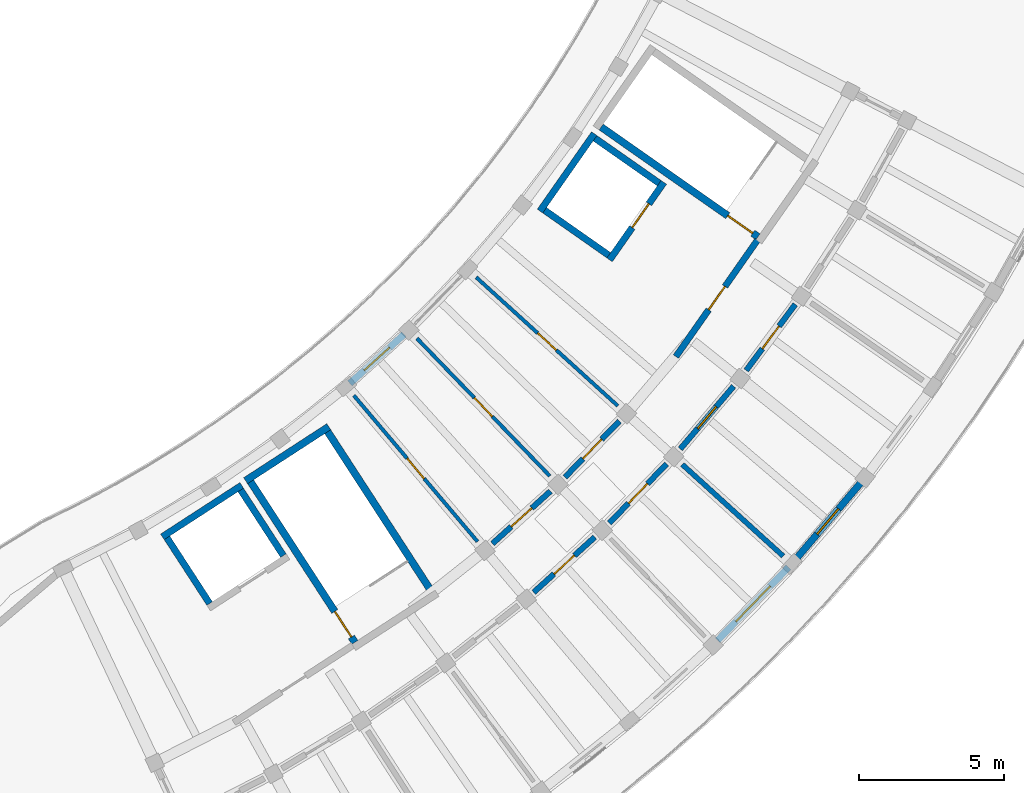
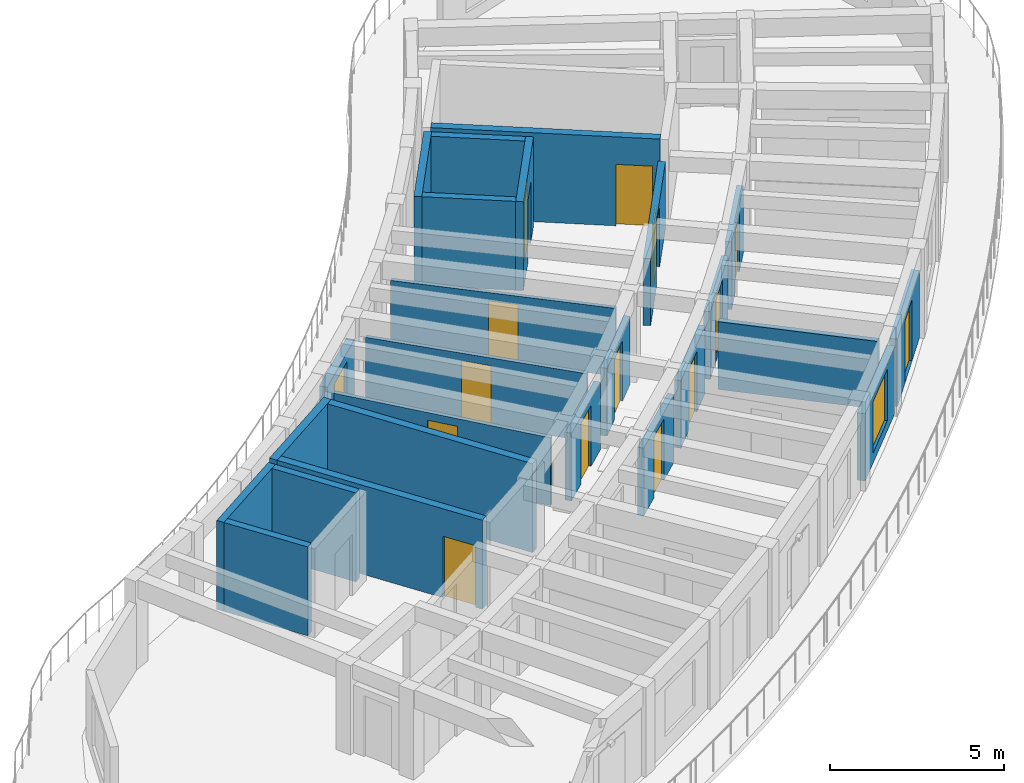
# One storey, part 32 of 56: 25 walls, 14 doors, 2 windows, 16 openings.
"""IFC4 building model written with IfcOpenShell, lengths in metres."""

from ifc_helpers import new_model, si_unit, direction, frame, frame_2d, origin, place, context, subcontext, project, spatial, rectangle, extrude, material, layer, layer_set, type_object, element, fill, save


model = new_model("IFC4")

# Units and contexts
model_context = context("Model", 3, precision=1e-05, world=origin(), true_north=direction((0.0, 1.0)))
body_context = subcontext(model_context, "Body", "Model", "MODEL_VIEW")
ifc_project = project(units=[si_unit("LENGTHUNIT", "METRE"), si_unit("AREAUNIT", "SQUARE_METRE"), si_unit("VOLUMEUNIT", "CUBIC_METRE"), si_unit("PLANEANGLEUNIT", "RADIAN"), si_unit("MASSUNIT", "GRAM", prefix="KILO")], contexts=[model_context])

# Site, building, storey
site_placement = place(None, origin())
site = spatial("IfcSite", under=ifc_project, at=site_placement, CompositionType="ELEMENT")
building_placement = place(site_placement, origin())
building = spatial("IfcBuilding", under=site, at=building_placement, Name="Tanwirah Colonnade Gardens", CompositionType="ELEMENT")
storey_placement = place(building_placement, frame((0.0, 0.0, 29.0)))
storey = spatial("IfcBuildingStorey", under=building, at=storey_placement, Name="L08", CompositionType="ELEMENT", Elevation=29.0)

# Wall, opening, window
ifc_material_1 = material(Name="Limestone architectural precast concrete C40/50", Category="masonry")
ifc_layer_1 = layer(ifc_material_1, 0.239990234375)
ifc_layer_set_1 = layer_set([ifc_layer_1], Name="Limestone architectural precast concrete C40/50")
wall_type_1 = type_object("IfcWallType", Name="EW-PC240", PredefinedType="SOLIDWALL", material=ifc_layer_set_1)
wall_1_placement = place(storey_placement, frame((149.842529296875, 30.68505859375, 0.0), z_axis=(0.0, 0.0, 1.0), x_axis=(0.741691907147, 0.670740721048, 0.0)))
wall_1 = element("IfcWall", 1, at=wall_1_placement, inside=storey, type_object=wall_type_1, Name="Block D L08 IN Precast Facade Wall 7", PredefinedType="SOLIDWALL", context=body_context, shape_type="SweptSolid", body=[
    extrude(rectangle(XDim=2.518798828125, YDim=0.239990234375, at=frame_2d((1.25927734375, 0.0))), origin(), (0.0, 0.0, 1.0), 2.35498046875),
])
opening_1_placement = place(wall_1_placement, frame((0.66943359375, 0.0, 0.550048828125)))
opening_1 = element("IfcOpeningElement", 2, at=opening_1_placement, cuts=wall_1, Name="Opening WIN-T16", PredefinedType="OPENING", context=body_context, shape_type="SweptSolid", body=[
    extrude(rectangle(XDim=1.179931640625, YDim=1.47998046875, at=frame_2d((0.58984375, 0.739990234375))), frame((0.0, 0.1298828125, 0.0), z_axis=(0.0, -1.0, 0.0), x_axis=(1.0, 0.0, 0.0)), (0.0, 0.0, 1.0), 0.260009765625),
])
ifc_material_2 = material(Name="Thermally broken bronze aluminium and solar low-E double glazing", Category="aluminium")
window_type_1 = type_object("IfcWindowType", Name="WIN-T16", PartitioningType="SINGLE_PANEL", PredefinedType="WINDOW", material=ifc_material_2)
window_1_placement = place(opening_1_placement, origin())
window_1 = element("IfcWindow", 3, at=window_1_placement, inside=storey, type_object=window_type_1, Name="Facade window D-L08-IN-07", OverallHeight=1.47998046875, OverallWidth=1.179931640625, PartitioningType="SINGLE_PANEL", PredefinedType="WINDOW", context=body_context, shape_type="SweptSolid", body=[
    extrude(rectangle(XDim=1.179931640625, YDim=1.47998046875, at=frame_2d((0.58984375, 0.739990234375))), frame((0.0, 0.030029296875, 0.0), z_axis=(0.0, -1.0, 0.0), x_axis=(1.0, 0.0, 0.0)), (0.0, 0.0, 1.0), 0.06005859375),
])
fill(opening_1, window_1)

wall_2_placement = place(storey_placement, frame((162.523681640625, 21.824951171875, 0.0), z_axis=(0.0, 0.0, 1.0), x_axis=(0.696232818878, 0.717816036263, 0.0)))
wall_2 = element("IfcWall", 4, at=wall_2_placement, inside=storey, type_object=wall_type_1, Name="Block D L08 OUT Precast Facade Wall 8", PredefinedType="SOLIDWALL", context=body_context, shape_type="SweptSolid", body=[
    extrude(rectangle(XDim=3.506591796875, YDim=0.239990234375, at=frame_2d((1.75341796875, 0.0))), origin(), (0.0, 0.0, 1.0), 2.35498046875),
])
opening_2_placement = place(wall_2_placement, frame((0.9033203125, 0.0, 0.35009765625)))
opening_2 = element("IfcOpeningElement", 5, at=opening_2_placement, cuts=wall_2, Name="Opening WIN-T12", PredefinedType="OPENING", context=body_context, shape_type="SweptSolid", body=[
    extrude(rectangle(XDim=1.699951171875, YDim=1.800048828125, at=frame_2d((0.85009765625, 0.89990234375))), frame((0.0, 0.1298828125, 0.0), z_axis=(0.0, -1.0, 0.0), x_axis=(1.0, 0.0, 0.0)), (0.0, 0.0, 1.0), 0.260009765625),
])
window_type_2 = type_object("IfcWindowType", Name="WIN-T12", PartitioningType="TRIPLE_PANEL_VERTICAL", PredefinedType="WINDOW", material=ifc_material_2)
window_2_placement = place(opening_2_placement, origin())
window_2 = element("IfcWindow", 6, at=window_2_placement, inside=storey, type_object=window_type_2, Name="Facade window D-L08-OUT-08", OverallHeight=1.800048828125, OverallWidth=1.699951171875, PartitioningType="SINGLE_PANEL", PredefinedType="WINDOW", context=body_context, shape_type="SweptSolid", body=[
    extrude(rectangle(XDim=1.699951171875, YDim=1.800048828125, at=frame_2d((0.85009765625, 0.89990234375))), frame((0.0, 0.030029296875, 0.0), z_axis=(0.0, -1.0, 0.0), x_axis=(1.0, 0.0, 0.0)), (0.0, 0.0, 1.0), 0.06005859375),
])
fill(opening_2, window_2)

# Wall, opening, door
wall_3_placement = place(storey_placement, frame((165.186767578125, 24.586181640625, 0.0), z_axis=(0.0, 0.0, 1.0), x_axis=(0.647787845689, 0.761820784028, 0.0)))
wall_3 = element("IfcWall", 7, at=wall_3_placement, inside=storey, type_object=wall_type_1, Name="Block D L08 OUT Precast Facade Wall 9", PredefinedType="SOLIDWALL", context=body_context, shape_type="SweptSolid", body=[
    extrude(rectangle(XDim=3.5068359375, YDim=0.239990234375, at=frame_2d((1.75341796875, 0.0))), origin(), (0.0, 0.0, 1.0), 2.35498046875),
])
opening_3_placement = place(wall_3_placement, frame((1.183349609375, 0.0, 0.0)))
opening_3 = element("IfcOpeningElement", 8, at=opening_3_placement, cuts=wall_3, Name="Opening L08-ED212", PredefinedType="OPENING", context=body_context, shape_type="SweptSolid", body=[
    extrude(rectangle(XDim=1.139892578125, YDim=2.159912109375, at=frame_2d((0.56982421875, 1.080078125))), frame((0.0, 0.1298828125, 0.0), z_axis=(0.0, -1.0, 0.0), x_axis=(1.0, 0.0, 0.0)), (0.0, 0.0, 1.0), 0.260009765625),
])
ifc_material_3 = material(Name="Bronze aluminium glazed balcony door", Category="aluminium")
door_type_1 = type_object("IfcDoorType", Name="ED-BAL114", OperationType="NOTDEFINED", PredefinedType="DOOR", material=ifc_material_3)
door_1_placement = place(opening_3_placement, origin())
door_1 = element("IfcDoor", 9, at=door_1_placement, inside=storey, type_object=door_type_1, Name="Balcony glazed door L08-ED212", OperationType="SINGLE_SWING_RIGHT", OverallHeight=2.159912109375, OverallWidth=1.139892578125, PredefinedType="DOOR", context=body_context, shape_type="SweptSolid", body=[
    extrude(rectangle(XDim=1.139892578125, YDim=2.159912109375, at=frame_2d((0.56982421875, 1.080078125))), frame((0.0, 0.02490234375, 0.0), z_axis=(0.0, -1.0, 0.0), x_axis=(1.0, 0.0, 0.0)), (0.0, 0.0, 1.0), 0.050048828125),
])
fill(opening_3, door_1)

ifc_material_4 = material(Name="Precast concrete C40/50", Category="concrete")
ifc_layer_2 = layer(ifc_material_4, 0.195068359375)
ifc_layer_set_2 = layer_set([ifc_layer_2], Name="Precast concrete C40/50")
wall_type_2 = type_object("IfcWallType", Name="IW-CORR195", PredefinedType="PARTITIONING", material=ifc_layer_set_2)
wall_4_placement = place(storey_placement, frame((156.1826171875, 23.48193359375, 0.0), z_axis=(0.0, 0.0, 1.0), x_axis=(0.741631592147, 0.670807410163, 0.0)))
wall_4 = element("IfcWall", 10, at=wall_4_placement, inside=storey, type_object=wall_type_2, Name="Block D L08 OUT Corridor Wall 7", PredefinedType="PARTITIONING", context=body_context, shape_type="SweptSolid", body=[
    extrude(rectangle(XDim=2.8369140625, YDim=0.195068359375, at=frame_2d((1.41845703125, 0.0))), origin(), (0.0, 0.0, 1.0), 2.3701171875),
])
opening_4_placement = place(wall_4_placement, frame((0.943603515625, 0.0, 0.0)))
opening_4 = element("IfcOpeningElement", 11, at=opening_4_placement, cuts=wall_4, Name="Opening L08-AD1936", PredefinedType="OPENING", context=body_context, shape_type="SweptSolid", body=[
    extrude(rectangle(XDim=0.949951171875, YDim=2.1298828125, at=frame_2d((0.47509765625, 1.06494140625))), frame((0.0, 0.107421875, 0.0), z_axis=(0.0, -1.0, 0.0), x_axis=(1.0, 0.0, 0.0)), (0.0, 0.0, 1.0), 0.215087890625),
])
ifc_material_5 = material(Name="Solid oak fire-resisting apartment entrance door")
door_type_2 = type_object("IfcDoorType", Name="ID-FLT095", OperationType="NOTDEFINED", PredefinedType="DOOR", material=ifc_material_5)
door_2_placement = place(opening_4_placement, origin())
door_2 = element("IfcDoor", 12, at=door_2_placement, inside=storey, type_object=door_type_2, Name="Apartment corridor door L08-AD1936", OperationType="SINGLE_SWING_RIGHT", OverallHeight=2.1298828125, OverallWidth=0.949951171875, PredefinedType="DOOR", context=body_context, shape_type="SweptSolid", body=[
    extrude(rectangle(XDim=0.949951171875, YDim=2.1298828125, at=frame_2d((0.47509765625, 1.06494140625))), frame((0.0, 0.02490234375, 0.0), z_axis=(0.0, -1.0, 0.0), x_axis=(1.0, 0.0, 0.0)), (0.0, 0.0, 1.0), 0.050048828125),
])
fill(opening_4, door_2)

wall_5_placement = place(storey_placement, frame((154.76123046875, 25.1611328125, 0.0), z_axis=(0.0, 0.0, 1.0), x_axis=(0.74166462946, 0.670770882945, 0.0)))
wall_5 = element("IfcWall", 13, at=wall_5_placement, inside=storey, type_object=wall_type_2, Name="Block D L08 IN Corridor Wall 7", PredefinedType="PARTITIONING", context=body_context, shape_type="SweptSolid", body=[
    extrude(rectangle(XDim=2.693115234375, YDim=0.195068359375, at=frame_2d((1.3466796875, 0.0))), origin(), (0.0, 0.0, 1.0), 2.3701171875),
])
opening_5_placement = place(wall_5_placement, frame((0.87158203125, 0.0, 0.0)))
opening_5 = element("IfcOpeningElement", 14, at=opening_5_placement, cuts=wall_5, Name="Opening L08-AD1937", PredefinedType="OPENING", context=body_context, shape_type="SweptSolid", body=[
    extrude(rectangle(XDim=0.949951171875, YDim=2.1298828125, at=frame_2d((0.47509765625, 1.06494140625))), frame((0.0, 0.107421875, 0.0), z_axis=(0.0, -1.0, 0.0), x_axis=(1.0, 0.0, 0.0)), (0.0, 0.0, 1.0), 0.215087890625),
])
door_3_placement = place(opening_5_placement, origin())
door_3 = element("IfcDoor", 15, at=door_3_placement, inside=storey, type_object=door_type_2, Name="Apartment corridor door L08-AD1937", OperationType="SINGLE_SWING_LEFT", OverallHeight=2.1298828125, OverallWidth=0.949951171875, PredefinedType="DOOR", context=body_context, shape_type="SweptSolid", body=[
    extrude(rectangle(XDim=0.949951171875, YDim=2.1298828125, at=frame_2d((0.47509765625, 1.06494140625))), frame((0.0, 0.02490234375, 0.0), z_axis=(0.0, -1.0, 0.0), x_axis=(1.0, 0.0, 0.0)), (0.0, 0.0, 1.0), 0.050048828125),
])
fill(opening_5, door_3)

wall_6_placement = place(storey_placement, frame((158.7900390625, 25.870849609375, 0.0), z_axis=(0.0, 0.0, 1.0), x_axis=(0.696223786753, 0.717824796701, 0.0)))
wall_6 = element("IfcWall", 16, at=wall_6_placement, inside=storey, type_object=wall_type_2, Name="Block D L08 OUT Corridor Wall 8", PredefinedType="PARTITIONING", context=body_context, shape_type="SweptSolid", body=[
    extrude(rectangle(XDim=2.8369140625, YDim=0.195068359375, at=frame_2d((1.41845703125, 0.0))), origin(), (0.0, 0.0, 1.0), 2.3701171875),
])
opening_6_placement = place(wall_6_placement, frame((0.95361328125, 0.0, 0.0)))
opening_6 = element("IfcOpeningElement", 17, at=opening_6_placement, cuts=wall_6, Name="Opening L08-AD1940", PredefinedType="OPENING", context=body_context, shape_type="SweptSolid", body=[
    extrude(rectangle(XDim=0.929931640625, YDim=2.1201171875, at=frame_2d((0.46484375, 1.06005859375))), frame((0.0, 0.107421875, 0.0), z_axis=(0.0, -1.0, 0.0), x_axis=(1.0, 0.0, 0.0)), (0.0, 0.0, 1.0), 0.215087890625),
])
door_type_3 = type_object("IfcDoorType", Name="ID-FLT093", OperationType="NOTDEFINED", PredefinedType="DOOR", material=ifc_material_5)
door_4_placement = place(opening_6_placement, origin())
door_4 = element("IfcDoor", 18, at=door_4_placement, inside=storey, type_object=door_type_3, Name="Apartment corridor door L08-AD1940", OperationType="SINGLE_SWING_LEFT", OverallHeight=2.1201171875, OverallWidth=0.929931640625, PredefinedType="DOOR", context=body_context, shape_type="SweptSolid", body=[
    extrude(rectangle(XDim=0.929931640625, YDim=2.1201171875, at=frame_2d((0.46484375, 1.06005859375))), frame((0.0, 0.02490234375, 0.0), z_axis=(0.0, -1.0, 0.0), x_axis=(1.0, 0.0, 0.0)), (0.0, 0.0, 1.0), 0.050048828125),
])
fill(opening_6, door_4)

wall_7_placement = place(storey_placement, frame((157.26171875, 27.453369140625, 0.0), z_axis=(0.0, 0.0, 1.0), x_axis=(0.696236443412, 0.717812520694, 0.0)))
wall_7 = element("IfcWall", 19, at=wall_7_placement, inside=storey, type_object=wall_type_2, Name="Block D L08 IN Corridor Wall 8", PredefinedType="PARTITIONING", context=body_context, shape_type="SweptSolid", body=[
    extrude(rectangle(XDim=2.693115234375, YDim=0.195068359375, at=frame_2d((1.3466796875, 0.0))), origin(), (0.0, 0.0, 1.0), 2.3701171875),
])
opening_7_placement = place(wall_7_placement, frame((0.881591796875, 0.0, 0.0)))
opening_7 = element("IfcOpeningElement", 20, at=opening_7_placement, cuts=wall_7, Name="Opening L08-AD1941", PredefinedType="OPENING", context=body_context, shape_type="SweptSolid", body=[
    extrude(rectangle(XDim=0.929931640625, YDim=2.1201171875, at=frame_2d((0.46484375, 1.06005859375))), frame((0.0, 0.107421875, 0.0), z_axis=(0.0, -1.0, 0.0), x_axis=(1.0, 0.0, 0.0)), (0.0, 0.0, 1.0), 0.215087890625),
])
door_5_placement = place(opening_7_placement, origin())
door_5 = element("IfcDoor", 21, at=door_5_placement, inside=storey, type_object=door_type_3, Name="Apartment corridor door L08-AD1941", OperationType="SINGLE_SWING_RIGHT", OverallHeight=2.1201171875, OverallWidth=0.929931640625, PredefinedType="DOOR", context=body_context, shape_type="SweptSolid", body=[
    extrude(rectangle(XDim=0.929931640625, YDim=2.1201171875, at=frame_2d((0.46484375, 1.06005859375))), frame((0.0, 0.02490234375, 0.0), z_axis=(0.0, -1.0, 0.0), x_axis=(1.0, 0.0, 0.0)), (0.0, 0.0, 1.0), 0.050048828125),
])
fill(opening_7, door_5)

wall_8_placement = place(storey_placement, frame((161.235595703125, 28.42529296875, 0.0), z_axis=(0.0, 0.0, 1.0), x_axis=(0.64778830669, 0.761820392032, 0.0)))
wall_8 = element("IfcWall", 22, at=wall_8_placement, inside=storey, type_object=wall_type_2, Name="Block D L08 OUT Corridor Wall 9", PredefinedType="PARTITIONING", context=body_context, shape_type="SweptSolid", body=[
    extrude(rectangle(XDim=2.8369140625, YDim=0.195068359375, at=frame_2d((1.41845703125, 0.0))), origin(), (0.0, 0.0, 1.0), 2.3701171875),
])
opening_8_placement = place(wall_8_placement, frame((0.923583984375, 0.0, 0.0)))
opening_8 = element("IfcOpeningElement", 23, at=opening_8_placement, cuts=wall_8, Name="Opening L08-AD1943", PredefinedType="OPENING", context=body_context, shape_type="SweptSolid", body=[
    extrude(rectangle(XDim=0.989990234375, YDim=2.159912109375, at=frame_2d((0.4951171875, 1.080078125))), frame((0.0, 0.107421875, 0.0), z_axis=(0.0, -1.0, 0.0), x_axis=(1.0, 0.0, 0.0)), (0.0, 0.0, 1.0), 0.215087890625),
])
door_type_4 = type_object("IfcDoorType", Name="ID-FLT099", OperationType="NOTDEFINED", PredefinedType="DOOR", material=ifc_material_5)
door_6_placement = place(opening_8_placement, origin())
door_6 = element("IfcDoor", 24, at=door_6_placement, inside=storey, type_object=door_type_4, Name="Apartment corridor door L08-AD1943", OperationType="SINGLE_SWING_RIGHT", OverallHeight=2.159912109375, OverallWidth=0.989990234375, PredefinedType="DOOR", context=body_context, shape_type="SweptSolid", body=[
    extrude(rectangle(XDim=0.989990234375, YDim=2.159912109375, at=frame_2d((0.4951171875, 1.080078125))), frame((0.0, 0.02490234375, 0.0), z_axis=(0.0, -1.0, 0.0), x_axis=(1.0, 0.0, 0.0)), (0.0, 0.0, 1.0), 0.050048828125),
])
fill(opening_8, door_6)

wall_9_placement = place(storey_placement, frame((163.5087890625, 31.134033203125, 0.0), z_axis=(0.0, 0.0, 1.0), x_axis=(0.596552136601, 0.802574325727, 0.0)))
wall_9 = element("IfcWall", 25, at=wall_9_placement, inside=storey, type_object=wall_type_2, Name="Block D L08 OUT Corridor Wall 10", PredefinedType="PARTITIONING", context=body_context, shape_type="SweptSolid", body=[
    extrude(rectangle(XDim=2.8369140625, YDim=0.195068359375, at=frame_2d((1.41845703125, 0.0))), origin(), (0.0, 0.0, 1.0), 2.3701171875),
])
opening_9_placement = place(wall_9_placement, frame((0.93359375, 0.0, 0.0)))
opening_9 = element("IfcOpeningElement", 26, at=opening_9_placement, cuts=wall_9, Name="Opening L08-AD1944", PredefinedType="OPENING", context=body_context, shape_type="SweptSolid", body=[
    extrude(rectangle(XDim=0.969970703125, YDim=2.14990234375, at=frame_2d((0.48486328125, 1.074951171875))), frame((0.0, 0.107421875, 0.0), z_axis=(0.0, -1.0, 0.0), x_axis=(1.0, 0.0, 0.0)), (0.0, 0.0, 1.0), 0.215087890625),
])
door_type_5 = type_object("IfcDoorType", Name="ID-FLT097", OperationType="NOTDEFINED", PredefinedType="DOOR", material=ifc_material_5)
door_7_placement = place(opening_9_placement, origin())
door_7 = element("IfcDoor", 27, at=door_7_placement, inside=storey, type_object=door_type_5, Name="Apartment corridor door L08-AD1944", OperationType="SINGLE_SWING_LEFT", OverallHeight=2.14990234375, OverallWidth=0.969970703125, PredefinedType="DOOR", context=body_context, shape_type="SweptSolid", body=[
    extrude(rectangle(XDim=0.969970703125, YDim=2.14990234375, at=frame_2d((0.48486328125, 1.074951171875))), frame((0.0, 0.02490234375, 0.0), z_axis=(0.0, -1.0, 0.0), x_axis=(1.0, 0.0, 0.0)), (0.0, 0.0, 1.0), 0.050048828125),
])
fill(opening_9, door_7)

# Wall
ifc_layer_3 = layer(ifc_material_4, 0.175048828125)
ifc_layer_set_3 = layer_set([ifc_layer_3], Name="Precast concrete C40/50")
wall_type_3 = type_object("IfcWallType", Name="IW-DEM175", PredefinedType="PARTITIONING", material=ifc_layer_set_3)
wall_10_placement = place(storey_placement, frame((161.304931640625, 27.8896484375, 0.0), z_axis=(0.0, 0.0, 1.0), x_axis=(0.740212663782, -0.672372822456, 0.0)))
element("IfcWall", 28, at=wall_10_placement, inside=storey, type_object=wall_type_3, Name="Block D L08 Radial Partition 8", PredefinedType="PARTITIONING", context=body_context, shape_type="SweptSolid", body=[
    extrude(rectangle(XDim=4.699951171875, YDim=0.175048828125, at=frame_2d((2.35009765625, 0.0))), origin(), (0.0, 0.0, 1.0), 2.3701171875),
])

# Wall, opening, door
ifc_material_6 = material(Name="Autoclaved aerated masonry blockwork", Category="masonry")
ifc_layer_4 = layer(ifc_material_6, 0.219970703125)
ifc_layer_set_4 = layer_set([ifc_layer_4], Name="Autoclaved aerated masonry blockwork")
wall_type_4 = type_object("IfcWallType", Name="IW-FFL220", PredefinedType="PARTITIONING", material=ifc_layer_set_4)
wall_11_placement = place(storey_placement, frame((163.89501953125, 35.624267578125, 0.0), z_axis=(0.0, 0.0, 1.0), x_axis=(-0.573572687386, -0.819154669329, 0.0)))
wall_11 = element("IfcWall", 29, at=wall_11_placement, inside=storey, type_object=wall_type_4, Name="CORE-D2 L08 Enclosed Lobby Fire Wall", PredefinedType="PARTITIONING", context=body_context, shape_type="SweptSolid", body=[
    extrude(rectangle(XDim=4.900146484375, YDim=0.219970703125, at=frame_2d((2.4501953125, 0.0))), origin(), (0.0, 0.0, 1.0), 2.340087890625),
])
opening_10_placement = place(wall_11_placement, frame((1.949951171875, 0.0, 0.0)))
opening_10 = element("IfcOpeningElement", 30, at=opening_10_placement, cuts=wall_11, Name="Opening L08-LD208", PredefinedType="OPENING", context=body_context, shape_type="SweptSolid", body=[
    extrude(rectangle(XDim=0.97998046875, YDim=2.139892578125, at=frame_2d((0.489990234375, 1.06982421875))), frame((0.0, 0.119873046875, 0.0), z_axis=(0.0, -1.0, 0.0), x_axis=(1.0, 0.0, 0.0)), (0.0, 0.0, 1.0), 0.239990234375),
])
ifc_material_7 = material(Name="Acoustic fire-resisting lobby door")
door_type_6 = type_object("IfcDoorType", Name="ID-FFL098", OperationType="NOTDEFINED", PredefinedType="DOOR", material=ifc_material_7)
door_8_placement = place(opening_10_placement, origin())
door_8 = element("IfcDoor", 31, at=door_8_placement, inside=storey, type_object=door_type_6, Name="CORE-D2 L08 Lobby Fire Door L08-LD208", OperationType="SINGLE_SWING_LEFT", OverallHeight=2.139892578125, OverallWidth=0.97998046875, PredefinedType="DOOR", context=body_context, shape_type="SweptSolid", body=[
    extrude(rectangle(XDim=0.97998046875, YDim=2.139892578125, at=frame_2d((0.489990234375, 1.06982421875))), frame((0.0, 0.02490234375, 0.0), z_axis=(0.0, -1.0, 0.0), x_axis=(1.0, 0.0, 0.0)), (0.0, 0.0, 1.0), 0.050048828125),
])
fill(opening_10, door_8)

ifc_material_8 = material(Name="Moisture-resistant gypsum stud partition")
ifc_layer_5 = layer(ifc_material_8, 0.125)
ifc_layer_set_5 = layer_set([ifc_layer_5], Name="Moisture-resistant gypsum stud partition")
wall_type_5 = type_object("IfcWallType", Name="IW-INT125", PredefinedType="PARTITIONING", material=ifc_layer_set_5)
wall_12_placement = place(storey_placement, frame((149.978759765625, 30.26904296875, 0.0), z_axis=(0.0, 0.0, 1.0), x_axis=(0.646121311019, -0.763234728932, 0.0)))
wall_12 = element("IfcWall", 32, at=wall_12_placement, inside=storey, type_object=wall_type_5, Name="Block D L08 Inner Radial Partition 6", PredefinedType="PARTITIONING", context=body_context, shape_type="SweptSolid", body=[
    extrude(rectangle(XDim=6.60009765625, YDim=0.125, at=frame_2d((3.300048828125, 0.0))), origin(), (0.0, 0.0, 1.0), 2.3701171875),
])
opening_11_placement = place(wall_12_placement, frame((2.844970703125, 0.0, 0.0)))
opening_11 = element("IfcOpeningElement", 33, at=opening_11_placement, cuts=wall_12, Name="Opening L08-RD1935", PredefinedType="OPENING", context=body_context, shape_type="SweptSolid", body=[
    extrude(rectangle(XDim=0.909912109375, YDim=2.10009765625, at=frame_2d((0.455078125, 1.050048828125))), frame((0.0, 0.072509765625, 0.0), z_axis=(0.0, -1.0, 0.0), x_axis=(1.0, 0.0, 0.0)), (0.0, 0.0, 1.0), 0.14501953125),
])
ifc_material_9 = material(Name="Painted hardwood internal room door", Category="wood")
door_type_7 = type_object("IfcDoorType", Name="ID-RM091", OperationType="NOTDEFINED", PredefinedType="DOOR", material=ifc_material_9)
door_9_placement = place(opening_11_placement, origin())
door_9 = element("IfcDoor", 34, at=door_9_placement, inside=storey, type_object=door_type_7, Name="Internal apartment door L08-RD1935", OperationType="SINGLE_SWING_RIGHT", OverallHeight=2.10009765625, OverallWidth=0.909912109375, PredefinedType="DOOR", context=body_context, shape_type="SweptSolid", body=[
    extrude(rectangle(XDim=0.909912109375, YDim=2.10009765625, at=frame_2d((0.455078125, 1.050048828125))), frame((0.0, 0.02490234375, 0.0), z_axis=(0.0, -1.0, 0.0), x_axis=(1.0, 0.0, 0.0)), (0.0, 0.0, 1.0), 0.050048828125),
])
fill(opening_11, door_9)

wall_13_placement = place(storey_placement, frame((152.155517578125, 32.237548828125, 0.0), z_axis=(0.0, 0.0, 1.0), x_axis=(0.69466250658, -0.71933580611, 0.0)))
wall_13 = element("IfcWall", 35, at=wall_13_placement, inside=storey, type_object=wall_type_5, Name="Block D L08 Inner Radial Partition 7", PredefinedType="PARTITIONING", context=body_context, shape_type="SweptSolid", body=[
    extrude(rectangle(XDim=6.599853515625, YDim=0.125, at=frame_2d((3.2998046875, 0.0))), origin(), (0.0, 0.0, 1.0), 2.3701171875),
])
opening_12_placement = place(wall_13_placement, frame((2.85498046875, 0.0, 0.0)))
opening_12 = element("IfcOpeningElement", 36, at=opening_12_placement, cuts=wall_13, Name="Opening L08-RD1939", PredefinedType="OPENING", context=body_context, shape_type="SweptSolid", body=[
    extrude(rectangle(XDim=0.889892578125, YDim=2.10009765625, at=frame_2d((0.44482421875, 1.050048828125))), frame((0.0, 0.072509765625, 0.0), z_axis=(0.0, -1.0, 0.0), x_axis=(1.0, 0.0, 0.0)), (0.0, 0.0, 1.0), 0.14501953125),
])
ifc_material_10 = material(Name="Painted hardwood bedroom door", Category="wood")
door_type_8 = type_object("IfcDoorType", Name="ID-RM089", OperationType="NOTDEFINED", PredefinedType="DOOR", material=ifc_material_10)
door_10_placement = place(opening_12_placement, origin())
door_10 = element("IfcDoor", 37, at=door_10_placement, inside=storey, type_object=door_type_8, Name="Internal apartment door L08-RD1939", OperationType="SINGLE_SWING_LEFT", OverallHeight=2.10009765625, OverallWidth=0.889892578125, PredefinedType="DOOR", context=body_context, shape_type="SweptSolid", body=[
    extrude(rectangle(XDim=0.889892578125, YDim=2.10009765625, at=frame_2d((0.44482421875, 1.050048828125))), frame((0.0, 0.02490234375, 0.0), z_axis=(0.0, -1.0, 0.0), x_axis=(1.0, 0.0, 0.0)), (0.0, 0.0, 1.0), 0.050048828125),
])
fill(opening_12, door_10)

wall_14_placement = place(storey_placement, frame((154.19873046875, 34.34423828125, 0.0), z_axis=(0.0, 0.0, 1.0), x_axis=(0.74023124711, -0.672352363573, 0.0)))
wall_14 = element("IfcWall", 38, at=wall_14_placement, inside=storey, type_object=wall_type_5, Name="Block D L08 Inner Radial Partition 8", PredefinedType="PARTITIONING", context=body_context, shape_type="SweptSolid", body=[
    extrude(rectangle(XDim=6.599853515625, YDim=0.125, at=frame_2d((3.2998046875, 0.0))), origin(), (0.0, 0.0, 1.0), 2.3701171875),
])
opening_13_placement = place(wall_14_placement, frame((2.864990234375, 0.0, 0.0)))
opening_13 = element("IfcOpeningElement", 39, at=opening_13_placement, cuts=wall_14, Name="Opening L08-RD1942", PredefinedType="OPENING", context=body_context, shape_type="SweptSolid", body=[
    extrude(rectangle(XDim=0.8701171875, YDim=2.080078125, at=frame_2d((0.43505859375, 1.0400390625))), frame((0.0, 0.072509765625, 0.0), z_axis=(0.0, -1.0, 0.0), x_axis=(1.0, 0.0, 0.0)), (0.0, 0.0, 1.0), 0.14501953125),
])
ifc_material_11 = material(Name="Painted hardwood study door", Category="wood")
door_type_9 = type_object("IfcDoorType", Name="ID-RM087", OperationType="NOTDEFINED", PredefinedType="DOOR", material=ifc_material_11)
door_11_placement = place(opening_13_placement, origin())
door_11 = element("IfcDoor", 40, at=door_11_placement, inside=storey, type_object=door_type_9, Name="Internal apartment door L08-RD1942", OperationType="SINGLE_SWING_RIGHT", OverallHeight=2.080078125, OverallWidth=0.8701171875, PredefinedType="DOOR", context=body_context, shape_type="SweptSolid", body=[
    extrude(rectangle(XDim=0.8701171875, YDim=2.080078125, at=frame_2d((0.43505859375, 1.0400390625))), frame((0.0, 0.02490234375, 0.0), z_axis=(0.0, -1.0, 0.0), x_axis=(1.0, 0.0, 0.0)), (0.0, 0.0, 1.0), 0.050048828125),
])
fill(opening_13, door_11)

# Walls
ifc_material_12 = material(Name="Concrete C45/55", Category="concrete")
ifc_layer_6 = layer(ifc_material_12, 0.25)
ifc_layer_set_6 = layer_set([ifc_layer_6], Name="Concrete C45/55")
wall_type_6 = type_object("IfcWallType", Name="SW-CORE250", PredefinedType="SHEAR", material=ifc_layer_set_6)
wall_15_placement = place(storey_placement, frame((152.674072265625, 23.48388671875, 0.0), z_axis=(0.0, 0.0, 1.0), x_axis=(-0.544655453679, 0.838659905312, 0.0)))
element("IfcWall", 41, at=wall_15_placement, inside=storey, type_object=wall_type_6, Name="CORE-D1 L08 Stair Shaft Shear Wall LEFT", PredefinedType="SHEAR", context=body_context, shape_type="SweptSolid", body=[
    extrude(rectangle(XDim=6.60009765625, YDim=0.25, at=frame_2d((3.300048828125, 0.0))), origin(), (0.0, 0.0, 1.0), 3.110107421875),
])
wall_16_placement = place(storey_placement, frame((149.1162109375, 29.19189453125, 0.0), z_axis=(0.0, 0.0, 1.0), x_axis=(-0.838699580527, -0.544594356953, 0.0)))
element("IfcWall", 42, at=wall_16_placement, inside=storey, type_object=wall_type_6, Name="CORE-D1 L08 Stair Shaft Shear Wall FAR", PredefinedType="SHEAR", context=body_context, shape_type="SweptSolid", body=[
    extrude(rectangle(XDim=3.420166015625, YDim=0.25, at=frame_2d((1.7099609375, 0.0))), origin(), (0.0, 0.0, 1.0), 3.110107421875),
])

# Wall, opening, door
wall_17_placement = place(storey_placement, frame((150.015380859375, 21.75732421875, 0.0), z_axis=(0.0, 0.0, 1.0), x_axis=(-0.544629435258, 0.838676802022, 0.0)))
wall_17 = element("IfcWall", 43, at=wall_17_placement, inside=storey, type_object=wall_type_6, Name="CORE-D1 L08 Stair Shaft Shear Wall RIGHT", PredefinedType="SHEAR", context=body_context, shape_type="SweptSolid", body=[
    extrude(rectangle(XDim=6.599853515625, YDim=0.25, at=frame_2d((3.2998046875, 0.0))), origin(), (0.0, 0.0, 1.0), 3.110107421875),
])
opening_14_placement = place(wall_17_placement, frame((0.219970703125, 0.0, 0.0)))
opening_14 = element("IfcOpeningElement", 44, at=opening_14_placement, cuts=wall_17, Name="Opening L08-SD178", PredefinedType="OPENING", context=body_context, shape_type="SweptSolid", body=[
    extrude(rectangle(XDim=1.050048828125, YDim=2.14990234375, at=frame_2d((0.52490234375, 1.074951171875))), frame((0.0, 0.135009765625, 0.0), z_axis=(0.0, -1.0, 0.0), x_axis=(1.0, 0.0, 0.0)), (0.0, 0.0, 1.0), 0.27001953125),
])
ifc_material_13 = material(Name="Steel fire-resisting stair enclosure door", Category="steel")
door_type_10 = type_object("IfcDoorType", Name="ID-ST105", OperationType="NOTDEFINED", PredefinedType="DOOR", material=ifc_material_13)
door_12_placement = place(opening_14_placement, origin())
door_12 = element("IfcDoor", 45, at=door_12_placement, inside=storey, type_object=door_type_10, Name="CORE-D1 L08 Stair Fire Door L08-SD178", OperationType="SINGLE_SWING_LEFT", OverallHeight=2.14990234375, OverallWidth=1.050048828125, PredefinedType="DOOR", context=body_context, shape_type="SweptSolid", body=[
    extrude(rectangle(XDim=1.050048828125, YDim=2.14990234375, at=frame_2d((0.52490234375, 1.074951171875))), frame((0.0, 0.02490234375, 0.0), z_axis=(0.0, -1.0, 0.0), x_axis=(1.0, 0.0, 0.0)), (0.0, 0.0, 1.0), 0.050048828125),
])
fill(opening_14, door_12)

wall_18_placement = place(storey_placement, frame((163.914306640625, 35.739013671875, 0.0), z_axis=(0.0, 0.0, 1.0), x_axis=(-0.819153711596, 0.573574055182, 0.0)))
wall_18 = element("IfcWall", 46, at=wall_18_placement, inside=storey, type_object=wall_type_6, Name="CORE-D2 L08 Stair Shaft Shear Wall RIGHT", PredefinedType="SHEAR", context=body_context, shape_type="SweptSolid", body=[
    extrude(rectangle(XDim=6.60009765625, YDim=0.25, at=frame_2d((3.300048828125, 0.0))), origin(), (0.0, 0.0, 1.0), 3.110107421875),
])
opening_15_placement = place(wall_18_placement, frame((0.219970703125, 0.0, 0.0)))
opening_15 = element("IfcOpeningElement", 47, at=opening_15_placement, cuts=wall_18, Name="Opening L08-SD198", PredefinedType="OPENING", context=body_context, shape_type="SweptSolid", body=[
    extrude(rectangle(XDim=1.050048828125, YDim=2.14990234375, at=frame_2d((0.52490234375, 1.074951171875))), frame((0.0, 0.135009765625, 0.0), z_axis=(0.0, -1.0, 0.0), x_axis=(1.0, 0.0, 0.0)), (0.0, 0.0, 1.0), 0.27001953125),
])
door_13_placement = place(opening_15_placement, origin())
door_13 = element("IfcDoor", 48, at=door_13_placement, inside=storey, type_object=door_type_10, Name="CORE-D2 L08 Stair Fire Door L08-SD198", OperationType="SINGLE_SWING_LEFT", OverallHeight=2.14990234375, OverallWidth=1.050048828125, PredefinedType="DOOR", context=body_context, shape_type="SweptSolid", body=[
    extrude(rectangle(XDim=1.050048828125, YDim=2.14990234375, at=frame_2d((0.52490234375, 1.074951171875))), frame((0.0, 0.02490234375, 0.0), z_axis=(0.0, -1.0, 0.0), x_axis=(1.0, 0.0, 0.0)), (0.0, 0.0, 1.0), 0.050048828125),
])
fill(opening_15, door_13)

# Walls
ifc_layer_7 = layer(ifc_material_12, 0.22998046875)
ifc_layer_set_7 = layer_set([ifc_layer_7], Name="Concrete C45/55")
wall_type_7 = type_object("IfcWallType", Name="SW-LIFT230", PredefinedType="SHEAR", material=ifc_layer_set_7)
wall_19_placement = place(storey_placement, frame((146.11279296875, 27.169921875, 0.0), z_axis=(0.0, 0.0, 1.0), x_axis=(-0.838695047431, -0.544601338058, 0.0)))
element("IfcWall", 49, at=wall_19_placement, inside=storey, type_object=wall_type_7, Name="CORE-D1 L08 Lift Shaft Wall BACK", PredefinedType="SHEAR", context=body_context, shape_type="SweptSolid", body=[
    extrude(rectangle(XDim=3.260009765625, YDim=0.22998046875, at=frame_2d((1.6298828125, 0.0))), origin(), (0.0, 0.0, 1.0), 3.110107421875),
])
for number, where, z_axis, x_axis, name in (
    (50, (147.549560546875, 24.74658203125, 0.0), (0.0, 0.0, 1.0), (-0.544622789439, 0.838681117722, 0.0), "CORE-D1 L08 Lift Shaft Wall SIDEA"),
    (51, (145.00830078125, 23.09619140625, 0.0), (0.0, 0.0, 1.0), (-0.544622789439, 0.838681117722, 0.0), "CORE-D1 L08 Lift Shaft Wall SIDEB"),
):
    element("IfcWall", number, at=place(storey_placement, frame(where, z_axis=z_axis, x_axis=x_axis)), inside=storey, type_object=wall_type_7, Name=name, PredefinedType="SHEAR", context=body_context, shape_type="SweptSolid", body=[
        extrude(rectangle(XDim=2.699951171875, YDim=0.22998046875, at=frame_2d((1.35009765625, 0.0))), origin(), (0.0, 0.0, 1.0), 3.110107421875),
    ])

# Wall, opening, door
wall_20_placement = place(storey_placement, frame((160.66845703125, 37.614990234375, 0.0), z_axis=(0.0, 0.0, 1.0), x_axis=(-0.573582966431, -0.819147471839, 0.0)))
wall_20 = element("IfcWall", 52, at=wall_20_placement, inside=storey, type_object=wall_type_7, Name="CORE-D2 L08 Lift Shaft Wall FRONT", PredefinedType="SHEAR", context=body_context, shape_type="SweptSolid", body=[
    extrude(rectangle(XDim=3.260009765625, YDim=0.22998046875, at=frame_2d((1.6298828125, 0.0))), origin(), (0.0, 0.0, 1.0), 3.110107421875),
])
opening_16_placement = place(wall_20_placement, frame((0.89990234375, 0.0, 0.0)))
opening_16 = element("IfcOpeningElement", 53, at=opening_16_placement, cuts=wall_20, Name="Opening L08-LD-PL-D2", PredefinedType="OPENING", context=body_context, shape_type="SweptSolid", body=[
    extrude(rectangle(XDim=1.0, YDim=2.14990234375, at=frame_2d((0.5, 1.074951171875))), frame((0.0, 0.125, 0.0), z_axis=(0.0, -1.0, 0.0), x_axis=(1.0, 0.0, 0.0)), (0.0, 0.0, 1.0), 0.25),
])
ifc_material_14 = material(Name="Bronze stainless steel sliding lift landing door", Category="steel")
door_type_11 = type_object("IfcDoorType", Name="LD-PS10", OperationType="DOUBLE_DOOR_SLIDING", PredefinedType="DOOR", material=ifc_material_14)
door_14_placement = place(opening_16_placement, origin())
door_14 = element("IfcDoor", 54, at=door_14_placement, inside=storey, type_object=door_type_11, Name="Lift PL-D2 L08 Sliding Landing Door", OperationType="DOUBLE_DOOR_SLIDING", OverallHeight=2.14990234375, OverallWidth=1.0, PredefinedType="DOOR", context=body_context, shape_type="SweptSolid", body=[
    extrude(rectangle(XDim=1.0, YDim=2.14990234375, at=frame_2d((0.5, 1.074951171875))), frame((0.0, 0.02490234375, 0.0), z_axis=(0.0, -1.0, 0.0), x_axis=(1.0, 0.0, 0.0)), (0.0, 0.0, 1.0), 0.050048828125),
])
fill(opening_16, door_14)

# Walls
wall_21_placement = place(storey_placement, frame((158.268310546875, 39.295654296875, 0.0), z_axis=(0.0, 0.0, 1.0), x_axis=(-0.573582966431, -0.819147471839, 0.0)))
element("IfcWall", 55, at=wall_21_placement, inside=storey, type_object=wall_type_7, Name="CORE-D2 L08 Lift Shaft Wall BACK", PredefinedType="SHEAR", context=body_context, shape_type="SweptSolid", body=[
    extrude(rectangle(XDim=3.260009765625, YDim=0.22998046875, at=frame_2d((1.6298828125, 0.0))), origin(), (0.0, 0.0, 1.0), 3.110107421875),
])
wall_22_placement = place(storey_placement, frame((160.50830078125, 37.5869140625, 0.0), z_axis=(0.0, 0.0, 1.0), x_axis=(-0.819189439894, 0.573523026186, 0.0)))
element("IfcWall", 56, at=wall_22_placement, inside=storey, type_object=wall_type_7, Name="CORE-D2 L08 Lift Shaft Wall SIDEA", PredefinedType="SHEAR", context=body_context, shape_type="SweptSolid", body=[
    extrude(rectangle(XDim=2.7001953125, YDim=0.22998046875, at=frame_2d((1.35009765625, 0.0))), origin(), (0.0, 0.0, 1.0), 3.110107421875),
])
wall_23_placement = place(storey_placement, frame((158.770263671875, 35.104736328125, 0.0), z_axis=(0.0, 0.0, 1.0), x_axis=(-0.819117209968, 0.573626181702, 0.0)))
element("IfcWall", 57, at=wall_23_placement, inside=storey, type_object=wall_type_7, Name="CORE-D2 L08 Lift Shaft Wall SIDEB", PredefinedType="SHEAR", context=body_context, shape_type="SweptSolid", body=[
    extrude(rectangle(XDim=2.699951171875, YDim=0.22998046875, at=frame_2d((1.35009765625, 0.0))), origin(), (0.0, 0.0, 1.0), 3.110107421875),
])

save(model, "model.ifc")
